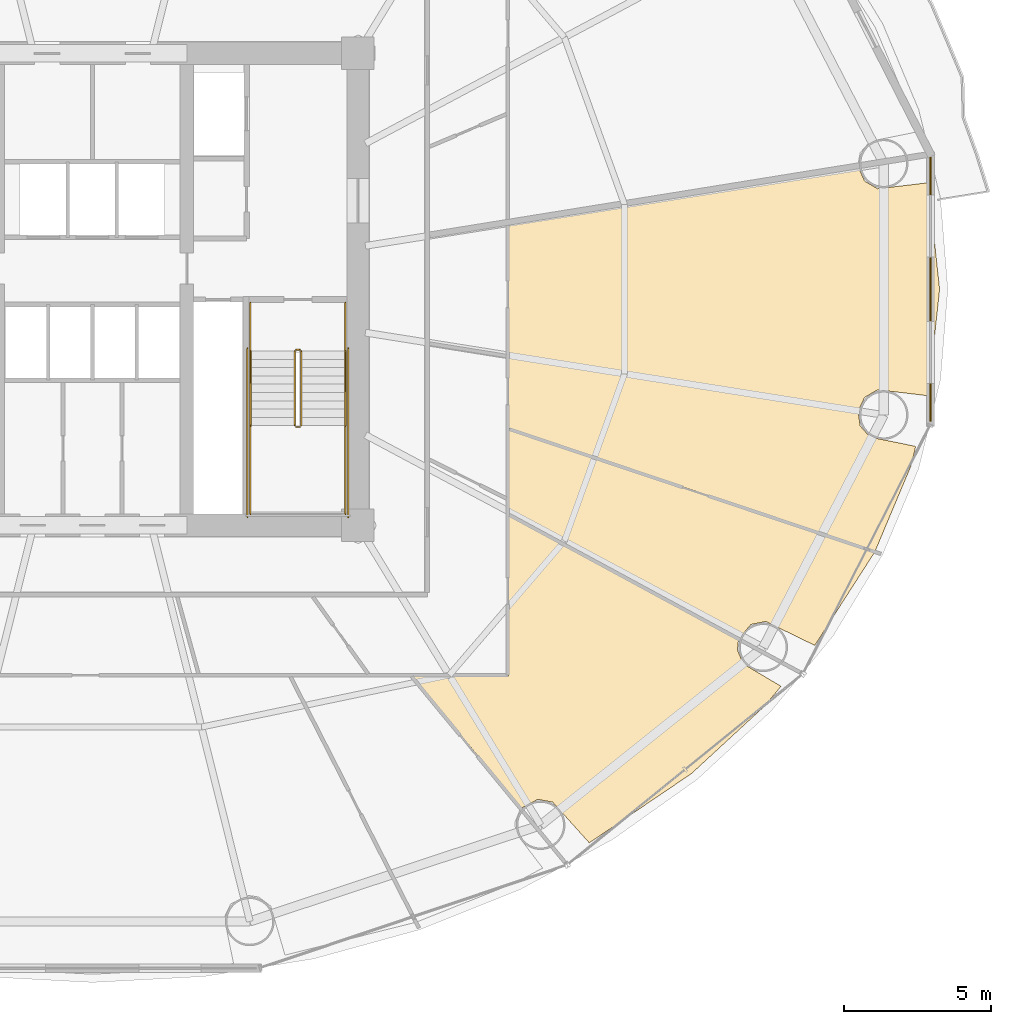
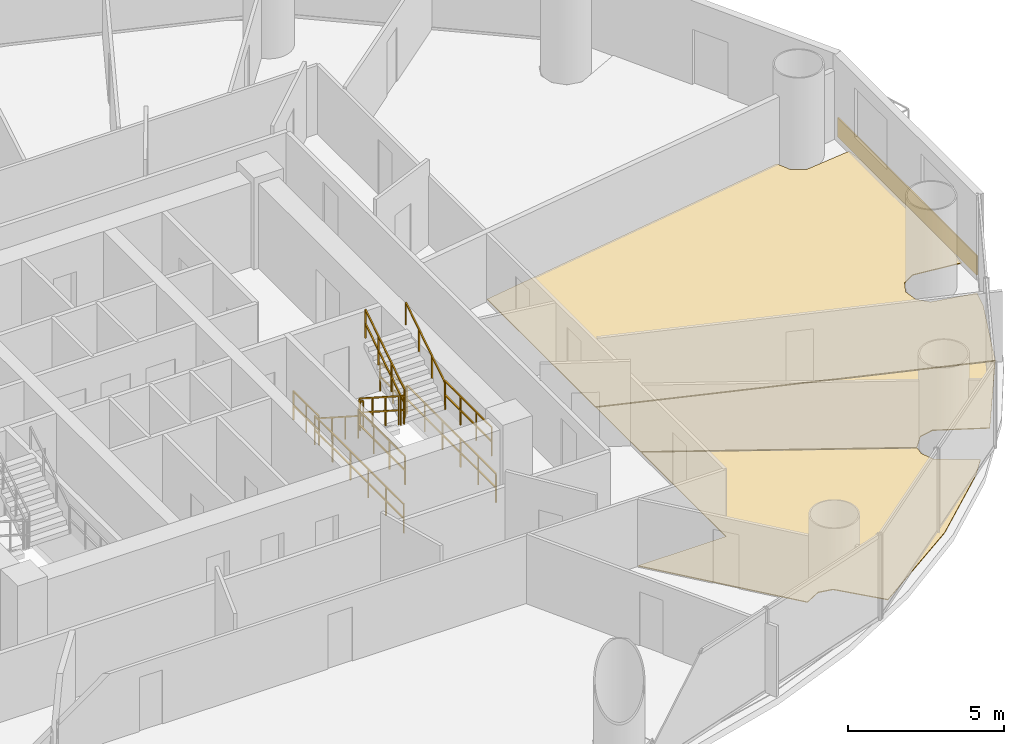
# One storey, part 27 of 28: 12 railings, 4 coverings.
"""IFC4 building model written with IfcOpenShell, lengths in metres."""

import ifcopenshell
import ifcopenshell.guid

model = None  # the IFC model being written
_history = None  # IfcOwnerHistory: only IFC2X3 demands one
_inside = {}  # id of a spatial element -> (the spatial element, [elements in it])
_under = {}  # id of a project, library or spatial element -> (it, [spatial elements below it])
_declared = {}  # id of a project -> (the project, [libraries it declares])
_typed = {}  # id of a type object -> (the type object, [elements of that type])
_made_of = {}  # id of a material, layer set ... -> (it, [elements and type objects made of it])


def new_model(schema):
    """Start an empty IFC model of exactly this schema.

    Asked for "IFC4X3", IfcOpenShell would pick the latest addendum, in which some entities
    have other attributes; the version numbers below select the first issue.
    IFC2X3 requires an IfcOwnerHistory on every rooted entity: one is made here for all.
    """
    global model, _history
    if schema == "IFC4X3":
        model = ifcopenshell.file(schema_version=(4, 3, 0, 0))
    else:
        model = ifcopenshell.file(schema=schema)
    _inside.clear()
    _under.clear()
    _declared.clear()
    _typed.clear()
    _made_of.clear()
    _history = None
    if model.schema == "IFC2X3":
        org = make("IfcOrganization", Name="unknown")
        user = make(
            "IfcPersonAndOrganization",
            ThePerson=make("IfcPerson", FamilyName="unknown"),
            TheOrganization=org,
        )
        app = make(
            "IfcApplication",
            ApplicationDeveloper=org,
            Version="unknown",
            ApplicationFullName="unknown",
            ApplicationIdentifier="unknown",
        )
        _history = make(
            "IfcOwnerHistory",
            OwningUser=user,
            OwningApplication=app,
            ChangeAction="ADDED",
            CreationDate=0,
        )
    return model


def make(cls, **values):
    """One entity of the class cls with the attributes given. An attribute that is None is left unset."""
    return model.create_entity(
        cls, **{name: value for name, value in values.items() if value is not None}
    )


def rooted(cls, **values):
    """An entity with a GlobalId (a new one), such as an element, a storey or a relation."""
    return make(cls, GlobalId=ifcopenshell.guid.new(), OwnerHistory=_history, **values)


def si_unit(unit_type, name, prefix=None):
    """IfcSIUnit, for example si_unit("LENGTHUNIT", "METRE", prefix="MILLI")."""
    return make("IfcSIUnit", UnitType=unit_type, Prefix=prefix, Name=name)


def assignment(units):
    """IfcUnitAssignment: the units of a project."""
    return None if units is None else make("IfcUnitAssignment", Units=units)


def point(xyz):
    """IfcCartesianPoint."""
    return None if xyz is None else make("IfcCartesianPoint", Coordinates=xyz)


def direction(xyz):
    """IfcDirection."""
    return None if xyz is None else make("IfcDirection", DirectionRatios=xyz)


def frame(location, z_axis=None, x_axis=None):
    """IfcAxis2Placement3D, a coordinate frame: its origin and axes. An axis left out is left unset."""
    return make(
        "IfcAxis2Placement3D",
        Location=point(location),
        Axis=direction(z_axis),
        RefDirection=direction(x_axis),
    )


def frame_2d(location, x_axis=None):
    """IfcAxis2Placement2D, a coordinate frame in the plane: its origin and x axis."""
    return make(
        "IfcAxis2Placement2D", Location=point(location), RefDirection=direction(x_axis)
    )


def origin():
    """The frame at (0, 0, 0) with its axes left unset."""
    return frame((0.0, 0.0, 0.0))


def origin_2d():
    """The frame at (0, 0) in the plane with its x axis left unset."""
    return frame_2d((0.0, 0.0))


def place(relative_to, where):
    """IfcLocalPlacement: puts the frame where relative to a parent placement (None: the world)."""
    return make(
        "IfcLocalPlacement", PlacementRelTo=relative_to, RelativePlacement=where
    )


def context(
    kind, dimensions, precision=None, world=None, true_north=None, identifier=None
):
    """IfcGeometricRepresentationContext, for example the 3D "Model" context."""
    return make(
        "IfcGeometricRepresentationContext",
        ContextIdentifier=identifier,
        ContextType=kind,
        CoordinateSpaceDimension=dimensions,
        Precision=precision,
        WorldCoordinateSystem=world,
        TrueNorth=true_north,
    )


def subcontext(parent, identifier, kind, view, scale=None):
    """IfcGeometricRepresentationSubContext, for example "Body" below "Model"."""
    return make(
        "IfcGeometricRepresentationSubContext",
        ContextIdentifier=identifier,
        ContextType=kind,
        ParentContext=parent,
        TargetScale=scale,
        TargetView=view,
    )


def project(units=None, contexts=None):
    """IfcProject with its units and contexts."""
    return rooted(
        "IfcProject",
        Name="project",
        RepresentationContexts=contexts,
        UnitsInContext=assignment(units),
    )


def spatial(cls, under=None, at=None, **own):
    """A site, building, storey or space (cls), placed at a placement, below another one or the project."""
    s = rooted(cls, ObjectPlacement=at, **own)
    if under is not None:
        _under.setdefault(under.id(), (under, []))[1].append(s)
    return s


def polyline(points):
    """IfcPolyline through the points."""
    return make("IfcPolyline", Points=[point(p) for p in points])


def profile(cls, at=None, kind="AREA", **sizes):
    """A parametric profile (cls). Its sizes go by their IFC names, for example OverallWidth=200.0."""
    return make(cls, ProfileType=kind, Position=at, **sizes)


def rectangle(**sizes):
    """IfcRectangleProfileDef."""
    return profile("IfcRectangleProfileDef", **sizes)


def outline(outer, holes=None, kind="AREA"):
    """IfcArbitraryClosedProfileDef: a profile drawn as a closed curve; with holes, ...WithVoids."""
    if holes is None:
        return make("IfcArbitraryClosedProfileDef", ProfileType=kind, OuterCurve=outer)
    return make(
        "IfcArbitraryProfileDefWithVoids",
        ProfileType=kind,
        OuterCurve=outer,
        InnerCurves=holes,
    )


def extrude(swept, where, along, depth):
    """IfcExtrudedAreaSolid: the profile swept, set in the frame where, extruded along a direction by depth."""
    return make(
        "IfcExtrudedAreaSolid",
        SweptArea=swept,
        Position=where,
        ExtrudedDirection=direction(along),
        Depth=depth,
    )


def shape(context_of_items, identifier, shape_type, items):
    """IfcShapeRepresentation: the items that make up one representation, for example the "Body"."""
    return make(
        "IfcShapeRepresentation",
        ContextOfItems=context_of_items,
        RepresentationIdentifier=identifier,
        RepresentationType=shape_type,
        Items=items,
    )


def source(mapping_origin, context_of_items, identifier, shape_type, items):
    """IfcRepresentationMap: a shape defined once, which mapped items show again and again."""
    return make(
        "IfcRepresentationMap",
        MappingOrigin=mapping_origin,
        MappedRepresentation=shape(context_of_items, identifier, shape_type, items),
    )


def transform(
    local_origin,
    x_axis=None,
    y_axis=None,
    z_axis=None,
    scale=None,
    scale2=None,
    scale3=None,
    uniform=True,
):
    """IfcCartesianTransformationOperator3D, or its non-uniform kind. x_axis, y_axis, z_axis: its Axis1, 2, 3."""
    if uniform:
        return make(
            "IfcCartesianTransformationOperator3D",
            Axis1=direction(x_axis),
            Axis2=direction(y_axis),
            LocalOrigin=point(local_origin),
            Scale=scale,
            Axis3=direction(z_axis),
        )
    return make(
        "IfcCartesianTransformationOperator3DnonUniform",
        Axis1=direction(x_axis),
        Axis2=direction(y_axis),
        LocalOrigin=point(local_origin),
        Scale=scale,
        Axis3=direction(z_axis),
        Scale2=scale2,
        Scale3=scale3,
    )


def mapped(mapping_source, mapping_target):
    """IfcMappedItem: shows the shape of a source again, moved by a transform."""
    return make(
        "IfcMappedItem", MappingSource=mapping_source, MappingTarget=mapping_target
    )


def material(Name=None, Category=None):
    """IfcMaterial."""
    return make("IfcMaterial", Name=Name, Category=Category)


def layer(
    of_material, thickness, ventilated=None, Name=None, Category=None, Priority=None
):
    """IfcMaterialLayer: one layer of a wall or slab, of a material (None: an air gap)."""
    return make(
        "IfcMaterialLayer",
        Material=of_material,
        LayerThickness=thickness,
        IsVentilated=ventilated,
        Name=Name,
        Category=Category,
        Priority=Priority,
    )


def layer_set(layers, Name=None):
    """IfcMaterialLayerSet."""
    return make("IfcMaterialLayerSet", MaterialLayers=layers, LayerSetName=Name)


def made_of(thing, what):
    """Note that an element or type object is made of a material, layer set ...; save() writes the relation."""
    if what is not None:
        _made_of.setdefault(what.id(), (what, []))[1].append(thing)
    return thing


def type_object(cls, material=None, **own):
    """A type object (cls), such as IfcWallType, which elements share."""
    return made_of(rooted(cls, **own), material)


def element(
    cls,
    number,
    at=None,
    inside=None,
    cuts=None,
    type_object=None,
    material=None,
    context=None,
    identifier="Body",
    shape_type=None,
    held_by="IfcProductDefinitionShape",
    body=None,
    shapes=None,
    **own,
):
    """One element of the class cls, such as IfcWall. Its Tag is "e" and its number.

    at: its placement. inside: the storey or other place that contains it. cuts: it is an
    opening in that element (IfcRelVoidsElement). A single representation is given by context,
    identifier, shape_type and body (its items); several are given by shapes. held_by: the class
    of the entity that holds the representations. save() writes the other relations.
    """
    e = rooted(cls, Tag="e%d" % number, ObjectPlacement=at, **own)
    if body is not None:
        shapes = [shape(context, identifier, shape_type, body)]
    if shapes is not None:
        e.Representation = make(held_by, Representations=shapes)
    if inside is not None:
        _inside.setdefault(inside.id(), (inside, []))[1].append(e)
    if cuts is not None:
        rooted(
            "IfcRelVoidsElement", RelatingBuildingElement=cuts, RelatedOpeningElement=e
        )
    if type_object is not None:
        _typed.setdefault(type_object.id(), (type_object, []))[1].append(e)
    return made_of(e, material)


def aggregate(whole, parts):
    """IfcRelAggregates: a whole, such as a stair, and the parts it consists of."""
    return rooted("IfcRelAggregates", RelatingObject=whole, RelatedObjects=parts)


def save(model, path):
    """Write the relations noted so far, then the file.

    IfcRelAggregates (storeys below a building ...), IfcRelContainedInSpatialStructure (elements
    in a storey), IfcRelDefinesByType, IfcRelAssociatesMaterial and IfcRelDeclares: one each for
    every whole, place, type object, material and project.
    """
    for whole, parts in _under.values():
        aggregate(whole, parts)
    for where, things in _inside.values():
        rooted(
            "IfcRelContainedInSpatialStructure",
            RelatedElements=things,
            RelatingStructure=where,
        )
    for kind, things in _typed.values():
        rooted("IfcRelDefinesByType", RelatedObjects=things, RelatingType=kind)
    for what, things in _made_of.values():
        rooted("IfcRelAssociatesMaterial", RelatedObjects=things, RelatingMaterial=what)
    for by, libraries in _declared.values():
        rooted("IfcRelDeclares", RelatingContext=by, RelatedDefinitions=libraries)
    model.write(path)


model = new_model("IFC4")

# Units and contexts
model_context = context("Model", 3, precision=1e-05, world=origin(), true_north=direction((-0.2419218956, 0.970295726276)))
body_context = subcontext(model_context, "Body", "Model", "MODEL_VIEW")
ifc_project = project(units=[si_unit("LENGTHUNIT", "METRE"), si_unit("AREAUNIT", "SQUARE_METRE"), si_unit("VOLUMEUNIT", "CUBIC_METRE"), si_unit("PLANEANGLEUNIT", "RADIAN"), si_unit("MASSUNIT", "GRAM", prefix="KILO")], contexts=[model_context])

# Site, building, storey
site_placement = place(None, origin())
site = spatial("IfcSite", under=ifc_project, at=site_placement, CompositionType="ELEMENT")
building_placement = place(site_placement, origin())
building = spatial("IfcBuilding", under=site, at=building_placement, Name="Cobrevalo Terracotta Tower", CompositionType="ELEMENT")
storey_placement = place(building_placement, frame((0.0, 0.0, 34.800048828125)))
storey = spatial("IfcBuildingStorey", under=building, at=storey_placement, Name="L08", CompositionType="ELEMENT", Elevation=34.800048828125)

# Coverings
ifc_material_1 = material(Name="Engineered Brazilian hardwood flooring", Category="wood")
ifc_layer_1 = layer(ifc_material_1, 0.028076171875)
ifc_layer_set_1 = layer_set([ifc_layer_1], Name="Engineered Brazilian hardwood flooring")
covering_type_1 = type_object("IfcCoveringType", Name="Engineered Hardwood Suite Flooring 28", PredefinedType="FLOORING", material=ifc_layer_set_1)
covering_1_placement = place(storey_placement, origin())
element("IfcCovering", 1, at=covering_1_placement, inside=storey, type_object=covering_type_1, Name="Flat L08C Penthouse Family Lounge floor finish", PredefinedType="FLOORING", context=body_context, shape_type="SweptSolid", body=[
    extrude(outline(polyline([(58.3095703125, 10.38232421875), (54.843505859375, 8.03271484375), (53.6025390625, 9.412353515625), (53.100341796875, 9.50732421875), (52.531982421875, 9.20751953125), (48.831787109375, 13.695068359375), (52.10498046875, 13.695068359375), (52.10498046875, 19.14013671875), (59.90234375, 14.91796875), (59.864990234375, 14.573974609375), (60.060791015625, 14.10205078125), (61.34423828125, 13.341064453125), (60.786376953125, 12.666259765625), (58.3095703125, 10.38232421875)])), origin(), (0.0, 0.0, 1.0), 0.030029296875),
])
covering_2_placement = place(storey_placement, origin())
element("IfcCovering", 2, at=covering_2_placement, inside=storey, type_object=covering_type_1, Name="Flat L08C Principal Guest Bedroom floor finish", PredefinedType="FLOORING", context=body_context, shape_type="SweptSolid", body=[
    extrude(outline(polyline([(62.488037109375, 14.7255859375), (60.826416015625, 15.53662109375), (60.325439453125, 15.436767578125), (59.915283203125, 14.95654296875), (52.10498046875, 19.185546875), (52.10498046875, 22.04443359375), (64.5126953125, 17.8798828125), (62.488037109375, 14.7255859375)])), origin(), (0.0, 0.0, 1.0), 0.030029296875),
])
covering_3_placement = place(storey_placement, origin())
element("IfcCovering", 3, at=covering_3_placement, inside=storey, type_object=covering_type_1, Name="Flat L08C Penthouse Family Lounge floor finish", PredefinedType="FLOORING", context=body_context, shape_type="SweptSolid", body=[
    extrude(outline(polyline([(52.10498046875, 22.086669921875), (52.10498046875, 29.05322265625), (63.952880859375, 30.963134765625), (64.178466796875, 30.465087890625), (64.619384765625, 30.206787109375), (66.331298828125, 30.4111328125), (66.719970703125, 26.800048828125), (66.331298828125, 23.18896484375), (64.619384765625, 23.39306640625), (64.178466796875, 23.135009765625), (63.955322265625, 22.67529296875), (64.025146484375, 22.169189453125), (64.3642578125, 21.787109375), (65.909423828125, 21.473876953125), (65.74169921875, 20.791259765625), (64.531494140625, 17.91552734375), (52.10498046875, 22.086669921875)])), origin(), (0.0, 0.0, 1.0), 0.030029296875),
])

# Railings
ifc_material_2 = material(Name="Brushed stainless steel", Category="steel")
railing_type_1 = type_object("IfcRailingType", Name="Stainless Steel Stair Handrail 900", PredefinedType="HANDRAIL", material=ifc_material_2)
railing_1_placement = place(storey_placement, frame((43.35498046875, 24.699951171875, 0.179931640625)))
element("IfcRailing", 4, at=railing_1_placement, inside=storey, type_object=railing_type_1, Name="L08 ST-2 stair handrail 1", PredefinedType="HANDRAIL", context=body_context, shape_type="SweptSolid", body=[
    extrude(rectangle(XDim=0.048095703125, YDim=0.048095703125, at=origin_2d()), frame((0.0, 0.0, 0.8759765625), z_axis=(0.0, -0.841162588446, 0.540782303519), x_axis=(1.0, 0.0, 0.0)), (0.0, 0.0, 1.0), 2.995849609375),
    extrude(rectangle(XDim=0.0419921875, YDim=0.0419921875, at=origin_2d()), origin(), (0.0, 0.0, 1.0), 0.851806640625),
    extrude(rectangle(XDim=0.0419921875, YDim=0.0419921875, at=origin_2d()), frame((0.0, -0.840087890625, 0.5400390625)), (0.0, 0.0, 1.0), 0.851806640625),
    extrude(rectangle(XDim=0.0419921875, YDim=0.0419921875, at=origin_2d()), frame((0.0, -1.679931640625, 1.080078125)), (0.0, 0.0, 1.0), 0.851806640625),
    extrude(rectangle(XDim=0.0419921875, YDim=0.0419921875, at=origin_2d()), frame((0.0, -2.52001953125, 1.6201171875)), (0.0, 0.0, 1.0), 0.851806640625),
])
railing_2_placement = place(storey_placement, frame((46.574951171875, 22.179931640625, 1.97998046875)))
element("IfcRailing", 5, at=railing_2_placement, inside=storey, type_object=railing_type_1, Name="L08 ST-2 stair handrail 2", PredefinedType="HANDRAIL", context=body_context, shape_type="SweptSolid", body=[
    extrude(rectangle(XDim=0.048095703125, YDim=0.048095703125, at=origin_2d()), frame((0.0, 0.0, 0.8759765625), z_axis=(0.0, 0.841199657755, 0.540724639528), x_axis=(-1.0, 0.0, 0.0)), (0.0, 0.0, 1.0), 2.995849609375),
    extrude(rectangle(XDim=0.0419921875, YDim=0.0419921875, at=origin_2d()), origin(), (0.0, 0.0, 1.0), 0.851806640625),
    extrude(rectangle(XDim=0.0419921875, YDim=0.0419921875, at=origin_2d()), frame((0.0, 0.840087890625, 0.5400390625)), (0.0, 0.0, 1.0), 0.851806640625),
    extrude(rectangle(XDim=0.0419921875, YDim=0.0419921875, at=origin_2d()), frame((0.0, 1.679931640625, 1.079833984375)), (0.0, 0.0, 1.0), 0.851806640625),
    extrude(rectangle(XDim=0.0419921875, YDim=0.0419921875, at=origin_2d()), frame((0.0, 2.52001953125, 1.619873046875)), (0.0, 0.0, 1.0), 0.851806640625),
])
ifc_material_3 = material(Name="Painted galvanized steel", Category="steel")
railing_type_2 = type_object("IfcRailingType", Name="Stair Well Guard Balustrade 1150", PredefinedType="GUARDRAIL", material=ifc_material_3)
railing_3_placement = place(storey_placement, frame((44.85498046875, 24.699951171875, 0.179931640625)))
element("IfcRailing", 6, at=railing_3_placement, inside=storey, type_object=railing_type_2, Name="L08 ST-2 stair guard 1", PredefinedType="GUARDRAIL", context=body_context, shape_type="SweptSolid", body=[
    extrude(rectangle(XDim=0.048095703125, YDim=0.048095703125, at=origin_2d()), frame((0.0, 0.0, 1.1259765625), z_axis=(0.0, -0.841162588446, 0.540782303519), x_axis=(1.0, 0.0, 0.0)), (0.0, 0.0, 1.0), 2.995849609375),
    extrude(rectangle(XDim=0.048095703125, YDim=0.048095703125, at=origin_2d()), frame((0.0, 0.0, 0.574951171875), z_axis=(0.0, -0.841162588446, 0.540782303519), x_axis=(1.0, 0.0, 0.0)), (0.0, 0.0, 1.0), 2.995849609375),
    extrude(rectangle(XDim=0.0419921875, YDim=0.0419921875, at=origin_2d()), origin(), (0.0, 0.0, 1.0), 1.101806640625),
    extrude(rectangle(XDim=0.0419921875, YDim=0.0419921875, at=origin_2d()), frame((0.0, -0.840087890625, 0.5400390625)), (0.0, 0.0, 1.0), 1.101806640625),
    extrude(rectangle(XDim=0.0419921875, YDim=0.0419921875, at=origin_2d()), frame((0.0, -1.679931640625, 1.080078125)), (0.0, 0.0, 1.0), 1.101806640625),
    extrude(rectangle(XDim=0.0419921875, YDim=0.0419921875, at=origin_2d()), frame((0.0, -2.52001953125, 1.6201171875)), (0.0, 0.0, 1.0), 1.101806640625),
])
railing_4_placement = place(storey_placement, frame((44.905029296875, 22.1298828125, 1.800048828125)))
element("IfcRailing", 7, at=railing_4_placement, inside=storey, type_object=railing_type_2, Name="L08 ST-2 stair guard 2", PredefinedType="GUARDRAIL", context=body_context, shape_type="SweptSolid", body=[
    extrude(rectangle(XDim=0.048095703125, YDim=0.048095703125, at=origin_2d()), frame((0.0, 0.0, 1.1259765625), z_axis=(1.0, 0.0, 0.0), x_axis=(0.0, 1.0, 0.0)), (0.0, 0.0, 1.0), 0.119873046875),
    extrude(rectangle(XDim=0.048095703125, YDim=0.048095703125, at=origin_2d()), frame((0.0, 0.0, 0.574951171875), z_axis=(1.0, 0.0, 0.0), x_axis=(0.0, 1.0, 0.0)), (0.0, 0.0, 1.0), 0.119873046875),
    extrude(rectangle(XDim=0.0419921875, YDim=0.0419921875, at=origin_2d()), origin(), (0.0, 0.0, 1.0), 1.101806640625),
    extrude(rectangle(XDim=0.0419921875, YDim=0.0419921875, at=origin_2d()), frame((0.119873046875, 0.0, 0.0)), (0.0, 0.0, 1.0), 1.101806640625),
])
for number, where, name in (
    (8, (43.35498046875, 22.179931640625, 1.800048828125), "L08 ST-2 stair guard 3"),
    (9, (46.574951171875, 22.179931640625, 1.800048828125), "L08 ST-2 stair guard 4"),
):
    element("IfcRailing", number, at=place(storey_placement, frame(where)), inside=storey, type_object=railing_type_2, Name=name, PredefinedType="GUARDRAIL", context=body_context, shape_type="SweptSolid", body=[
        extrude(rectangle(XDim=0.048095703125, YDim=0.048095703125, at=origin_2d()), frame((0.0, 0.0, 1.1259765625), z_axis=(0.0, -1.0, 0.0), x_axis=(1.0, 0.0, 0.0)), (0.0, 0.0, 1.0), 3.0048828125),
        extrude(rectangle(XDim=0.048095703125, YDim=0.048095703125, at=origin_2d()), frame((0.0, 0.0, 0.574951171875), z_axis=(0.0, -1.0, 0.0), x_axis=(1.0, 0.0, 0.0)), (0.0, 0.0, 1.0), 3.0048828125),
        extrude(rectangle(XDim=0.0419921875, YDim=0.0419921875, at=origin_2d()), origin(), (0.0, 0.0, 1.0), 1.101806640625),
        extrude(rectangle(XDim=0.0419921875, YDim=0.0419921875, at=origin_2d()), frame((0.0, -1.001708984375, 0.0)), (0.0, 0.0, 1.0), 1.101806640625),
        extrude(rectangle(XDim=0.0419921875, YDim=0.0419921875, at=origin_2d()), frame((0.0, -2.003173828125, 0.0)), (0.0, 0.0, 1.0), 1.101806640625),
        extrude(rectangle(XDim=0.0419921875, YDim=0.0419921875, at=origin_2d()), frame((0.0, -3.0048828125, 0.0)), (0.0, 0.0, 1.0), 1.101806640625),
    ])
railing_5_placement = place(storey_placement, frame((45.074951171875, 22.179931640625, 1.97998046875)))
element("IfcRailing", 10, at=railing_5_placement, inside=storey, type_object=railing_type_2, Name="L08 ST-2 stair guard 6", PredefinedType="GUARDRAIL", context=body_context, shape_type="SweptSolid", body=[
    extrude(rectangle(XDim=0.048095703125, YDim=0.048095703125, at=origin_2d()), frame((0.0, 0.0, 1.1259765625), z_axis=(0.0, 0.841199657755, 0.540724639528), x_axis=(-1.0, 0.0, 0.0)), (0.0, 0.0, 1.0), 2.995849609375),
    extrude(rectangle(XDim=0.048095703125, YDim=0.048095703125, at=origin_2d()), frame((0.0, 0.0, 0.574951171875), z_axis=(0.0, 0.841199657755, 0.540724639528), x_axis=(-1.0, 0.0, 0.0)), (0.0, 0.0, 1.0), 2.995849609375),
    extrude(rectangle(XDim=0.0419921875, YDim=0.0419921875, at=origin_2d()), origin(), (0.0, 0.0, 1.0), 1.101806640625),
    extrude(rectangle(XDim=0.0419921875, YDim=0.0419921875, at=origin_2d()), frame((0.0, 0.840087890625, 0.5400390625)), (0.0, 0.0, 1.0), 1.101806640625),
    extrude(rectangle(XDim=0.0419921875, YDim=0.0419921875, at=origin_2d()), frame((0.0, 1.679931640625, 1.079833984375)), (0.0, 0.0, 1.0), 1.101806640625),
    extrude(rectangle(XDim=0.0419921875, YDim=0.0419921875, at=origin_2d()), frame((0.0, 2.52001953125, 1.619873046875)), (0.0, 0.0, 1.0), 1.101806640625),
])
railing_6_placement = place(storey_placement, frame((44.905029296875, 24.75, 0.0)))
element("IfcRailing", 11, at=railing_6_placement, inside=storey, type_object=railing_type_2, Name="L08 ST-2 stair guard 7", PredefinedType="GUARDRAIL", context=body_context, shape_type="SweptSolid", body=[
    extrude(rectangle(XDim=0.048095703125, YDim=0.048095703125, at=origin_2d()), frame((0.0, 0.0, 1.1259765625), z_axis=(1.0, 0.0, 0.0), x_axis=(0.0, 1.0, 0.0)), (0.0, 0.0, 1.0), 0.119873046875),
    extrude(rectangle(XDim=0.048095703125, YDim=0.048095703125, at=origin_2d()), frame((0.0, 0.0, 0.574951171875), z_axis=(1.0, 0.0, 0.0), x_axis=(0.0, 1.0, 0.0)), (0.0, 0.0, 1.0), 0.119873046875),
    extrude(rectangle(XDim=0.0419921875, YDim=0.0419921875, at=origin_2d()), origin(), (0.0, 0.0, 1.0), 1.101806640625),
    extrude(rectangle(XDim=0.0419921875, YDim=0.0419921875, at=origin_2d()), frame((0.119873046875, 0.0, 0.0)), (0.0, 0.0, 1.0), 1.101806640625),
])
for number, where, name in (
    (12, (43.35498046875, 26.35009765625, 0.0), "L08 ST-2 stair guard 8"),
    (13, (46.574951171875, 26.35009765625, 0.0), "L08 ST-2 stair guard 9"),
):
    element("IfcRailing", number, at=place(storey_placement, frame(where)), inside=storey, type_object=railing_type_2, Name=name, PredefinedType="GUARDRAIL", context=body_context, shape_type="SweptSolid", body=[
        extrude(rectangle(XDim=0.048095703125, YDim=0.048095703125, at=origin_2d()), frame((0.0, 0.0, 1.1259765625), z_axis=(0.0, -1.0, 0.0), x_axis=(1.0, 0.0, 0.0)), (0.0, 0.0, 1.0), 1.650146484375),
        extrude(rectangle(XDim=0.048095703125, YDim=0.048095703125, at=origin_2d()), frame((0.0, 0.0, 0.574951171875), z_axis=(0.0, -1.0, 0.0), x_axis=(1.0, 0.0, 0.0)), (0.0, 0.0, 1.0), 1.650146484375),
        extrude(rectangle(XDim=0.0419921875, YDim=0.0419921875, at=origin_2d()), origin(), (0.0, 0.0, 1.0), 1.101806640625),
        extrude(rectangle(XDim=0.0419921875, YDim=0.0419921875, at=origin_2d()), frame((0.0, -0.8251953125, 0.0)), (0.0, 0.0, 1.0), 1.101806640625),
        extrude(rectangle(XDim=0.0419921875, YDim=0.0419921875, at=origin_2d()), frame((0.0, -1.650146484375, 0.0)), (0.0, 0.0, 1.0), 1.101806640625),
    ])
for number, where, name in (
    (14, (43.2548828125, 24.800048828125, 0.0), "L08 ST-2 stair guard 10"),
    (15, (46.675048828125, 24.800048828125, 0.0), "L08 ST-2 stair guard 11"),
):
    element("IfcRailing", number, at=place(storey_placement, frame(where)), inside=storey, type_object=railing_type_2, Name=name, PredefinedType="GUARDRAIL", context=body_context, shape_type="SweptSolid", body=[
        extrude(rectangle(XDim=0.048095703125, YDim=0.048095703125, at=origin_2d()), frame((0.0, 0.0, 1.1259765625), z_axis=(0.0, -1.0, 0.0), x_axis=(1.0, 0.0, 0.0)), (0.0, 0.0, 1.0), 5.72509765625),
        extrude(rectangle(XDim=0.048095703125, YDim=0.048095703125, at=origin_2d()), frame((0.0, 0.0, 0.574951171875), z_axis=(0.0, -1.0, 0.0), x_axis=(1.0, 0.0, 0.0)), (0.0, 0.0, 1.0), 5.72509765625),
        extrude(rectangle(XDim=0.0419921875, YDim=0.0419921875, at=origin_2d()), origin(), (0.0, 0.0, 1.0), 1.101806640625),
        extrude(rectangle(XDim=0.0419921875, YDim=0.0419921875, at=origin_2d()), frame((0.0, -1.14501953125, 0.0)), (0.0, 0.0, 1.0), 1.101806640625),
        extrude(rectangle(XDim=0.0419921875, YDim=0.0419921875, at=origin_2d()), frame((0.0, -2.2900390625, 0.0)), (0.0, 0.0, 1.0), 1.101806640625),
        extrude(rectangle(XDim=0.0419921875, YDim=0.0419921875, at=origin_2d()), frame((0.0, -3.43505859375, 0.0)), (0.0, 0.0, 1.0), 1.101806640625),
        extrude(rectangle(XDim=0.0419921875, YDim=0.0419921875, at=origin_2d()), frame((0.0, -4.580078125, 0.0)), (0.0, 0.0, 1.0), 1.101806640625),
        extrude(rectangle(XDim=0.0419921875, YDim=0.0419921875, at=origin_2d()), frame((0.0, -5.72509765625, 0.0)), (0.0, 0.0, 1.0), 1.101806640625),
    ])

# Covering
ifc_material_4 = material(Name="Glazed terracotta facade cladding tile", Category="masonry")
ifc_layer_2 = layer(ifc_material_4, 0.044921875)
ifc_layer_set_2 = layer_set([ifc_layer_2], Name="Glazed terracotta facade cladding tile")
covering_type_2 = type_object("IfcCoveringType", Name="Architectural terracotta rainscreen spandrel cladding 45 mm", PredefinedType="CLADDING", material=ifc_layer_set_2)
shared_shape = source(origin(), body_context, "Body", "SweptSolid", [
    extrude(rectangle(XDim=8.95751953125, YDim=0.044921875, at=origin_2d()), origin(), (0.0, 0.0, 1.0), 0.760009765625),
])
covering_4_placement = place(storey_placement, frame((66.413330078125, 26.800048828125, 0.0400390625), z_axis=(0.0, 0.0, 1.0), x_axis=(0.0, 1.0, 0.0)))
element("IfcCovering", 16, at=covering_4_placement, inside=storey, type_object=covering_type_2, Name="L08 terracotta spandrel cladding S16", PredefinedType="CLADDING", context=body_context, shape_type="MappedRepresentation", body=[
    mapped(shared_shape, transform((0.0, 0.0, 0.0), scale=1.0)),
])

save(model, "model.ifc")
